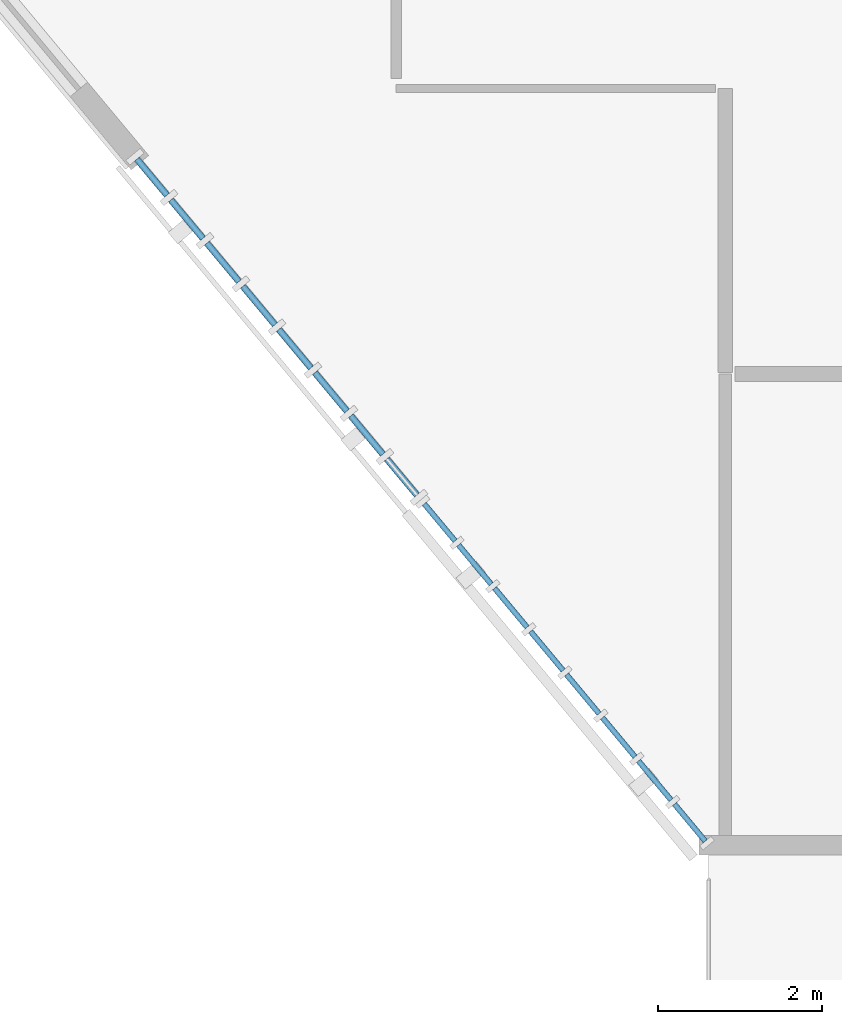
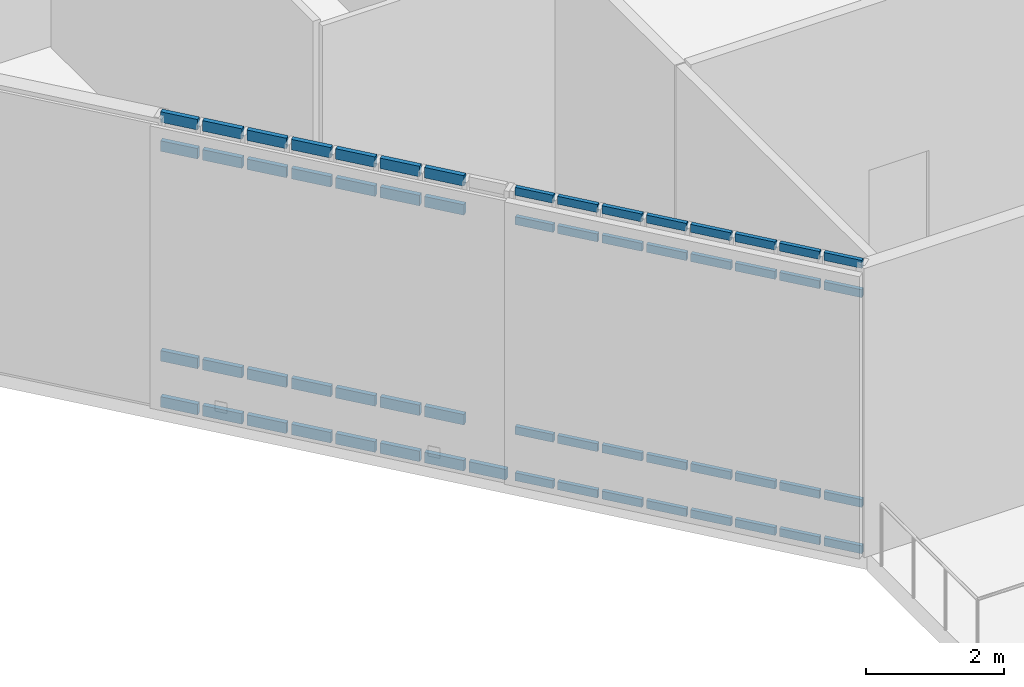
# One storey, part 43 of 135: 61 members, 2 elements without a shape of their own.
"""IFC4 building model written with IfcOpenShell, lengths in metres."""

from ifc_helpers import new_model, si_unit, direction, frame, origin, origin_2d, place, context, subcontext, project, spatial, rectangle, extrude, material, material_profile, profile_set, type_object, element, aggregate, save


model = new_model("IFC4")

# Units and contexts
model_context = context("Model", 3, precision=1e-05, world=origin(), true_north=direction((0.0, 1.0)))
body_context = subcontext(model_context, "Body", "Model", "MODEL_VIEW")
ifc_project = project(units=[si_unit("LENGTHUNIT", "METRE"), si_unit("AREAUNIT", "SQUARE_METRE"), si_unit("VOLUMEUNIT", "CUBIC_METRE"), si_unit("PLANEANGLEUNIT", "RADIAN"), si_unit("MASSUNIT", "GRAM", prefix="KILO")], contexts=[model_context])

# Site, building, storey
site_placement = place(None, origin())
site = spatial("IfcSite", under=ifc_project, at=site_placement, CompositionType="ELEMENT")
building_placement = place(site_placement, origin())
building = spatial("IfcBuilding", under=site, at=building_placement, Name="Larkvane Passage Sports Hall", CompositionType="ELEMENT")
storey_placement = place(building_placement, frame((0.0, 0.0, 16.800048828125)))
storey = spatial("IfcBuildingStorey", under=building, at=storey_placement, Name="L03", CompositionType="ELEMENT", Elevation=16.800048828125)

# Curtain wall, members
ifc_material_1 = material(Name="Thermally broken aluminium and low-E glazing", Category="aluminium")
curtain_wall_type_1 = type_object("IfcCurtainWallType", Name="CW-UNIT-COURT", PredefinedType="USERDEFINED", material=ifc_material_1)
curtain_wall_1_placement = place(storey_placement, origin())
curtain_wall_1 = element("IfcCurtainWall", 1, at=curtain_wall_1_placement, inside=storey, type_object=curtain_wall_type_1, Name="Curtain wall CW5-L03-128", ObjectType="UNITISED CURTAIN WALL", PredefinedType="USERDEFINED")
ifc_material_2 = material(Name="Anodised aluminium 6063-T6", Category="aluminium")
ifc_material_profile_1 = material_profile(ifc_material_2, rectangle(XDim=0.06494140625, YDim=0.139892578125, at=origin_2d()), Name="ALU-TRN-65x140")
ifc_profile_set_1 = profile_set([ifc_material_profile_1], Name="Anodised aluminium 6063-T6")
member_type_1 = type_object("IfcMemberType", Name="CW-TRN-65x140", PredefinedType="USERDEFINED", material=ifc_profile_set_1)
member_1_placement = place(storey_placement, frame((27.75830078125, 22.849853515625, 0.032470703125), z_axis=(-0.640020445424, 0.768357878491, 0.0), x_axis=(-0.768357878491, -0.640020445424, 0.0)))
member_1 = element("IfcMember", 2, at=member_1_placement, type_object=member_type_1, Name="CW-01 transom 1.1", ObjectType="TRANSOM", PredefinedType="USERDEFINED", context=body_context, shape_type="SweptSolid", body=[
    extrude(rectangle(XDim=0.06494140625, YDim=0.139892578125, at=origin_2d()), origin(), (0.0, 0.0, 1.0), 0.5859375),
])
member_2_placement = place(storey_placement, frame((27.75830078125, 22.849853515625, 0.849853515625), z_axis=(-0.640020445424, 0.768357878491, 0.0), x_axis=(-0.768357878491, -0.640020445424, 0.0)))
member_2 = element("IfcMember", 3, at=member_2_placement, type_object=member_type_1, Name="CW-01 transom 1.2", ObjectType="TRANSOM", PredefinedType="USERDEFINED", context=body_context, shape_type="SweptSolid", body=[
    extrude(rectangle(XDim=0.06494140625, YDim=0.139892578125, at=origin_2d()), origin(), (0.0, 0.0, 1.0), 0.5859375),
])
member_3_placement = place(storey_placement, frame((27.75830078125, 22.849853515625, 4.550048828125), z_axis=(-0.640020445424, 0.768357878491, 0.0), x_axis=(-0.768357878491, -0.640020445424, 0.0)))
member_3 = element("IfcMember", 4, at=member_3_placement, type_object=member_type_1, Name="CW-01 transom 1.3", ObjectType="TRANSOM", PredefinedType="USERDEFINED", context=body_context, shape_type="SweptSolid", body=[
    extrude(rectangle(XDim=0.06494140625, YDim=0.139892578125, at=origin_2d()), origin(), (0.0, 0.0, 1.0), 0.5859375),
])
member_4_placement = place(storey_placement, frame((27.75830078125, 22.849853515625, 5.0673828125), z_axis=(-0.640020445424, 0.768357878491, 0.0), x_axis=(-0.768357878491, -0.640020445424, 0.0)))
member_4 = element("IfcMember", 5, at=member_4_placement, type_object=member_type_1, Name="CW-01 transom 1.4", ObjectType="TRANSOM", PredefinedType="USERDEFINED", context=body_context, shape_type="SweptSolid", body=[
    extrude(rectangle(XDim=0.06494140625, YDim=0.139892578125, at=origin_2d()), origin(), (0.0, 0.0, 1.0), 0.5859375),
])
member_5_placement = place(storey_placement, frame((27.341796875, 23.349853515625, 0.032470703125), z_axis=(-0.640262049409, 0.768156564827, 0.0), x_axis=(-0.768156564827, -0.640262049409, 0.0)))
member_5 = element("IfcMember", 6, at=member_5_placement, type_object=member_type_1, Name="CW-01 transom 2.1", ObjectType="TRANSOM", PredefinedType="USERDEFINED", context=body_context, shape_type="SweptSolid", body=[
    extrude(rectangle(XDim=0.06494140625, YDim=0.139892578125, at=origin_2d()), origin(), (0.0, 0.0, 1.0), 0.618408203125),
])
member_6_placement = place(storey_placement, frame((27.341796875, 23.349853515625, 0.849853515625), z_axis=(-0.640262049409, 0.768156564827, 0.0), x_axis=(-0.768156564827, -0.640262049409, 0.0)))
member_6 = element("IfcMember", 7, at=member_6_placement, type_object=member_type_1, Name="CW-01 transom 2.2", ObjectType="TRANSOM", PredefinedType="USERDEFINED", context=body_context, shape_type="SweptSolid", body=[
    extrude(rectangle(XDim=0.06494140625, YDim=0.139892578125, at=origin_2d()), origin(), (0.0, 0.0, 1.0), 0.618408203125),
])
member_7_placement = place(storey_placement, frame((27.341796875, 23.349853515625, 4.550048828125), z_axis=(-0.640262049409, 0.768156564827, 0.0), x_axis=(-0.768156564827, -0.640262049409, 0.0)))
member_7 = element("IfcMember", 8, at=member_7_placement, type_object=member_type_1, Name="CW-01 transom 2.3", ObjectType="TRANSOM", PredefinedType="USERDEFINED", context=body_context, shape_type="SweptSolid", body=[
    extrude(rectangle(XDim=0.06494140625, YDim=0.139892578125, at=origin_2d()), origin(), (0.0, 0.0, 1.0), 0.618408203125),
])
member_8_placement = place(storey_placement, frame((27.341796875, 23.349853515625, 5.0673828125), z_axis=(-0.640262049409, 0.768156564827, 0.0), x_axis=(-0.768156564827, -0.640262049409, 0.0)))
member_8 = element("IfcMember", 9, at=member_8_placement, type_object=member_type_1, Name="CW-01 transom 2.4", ObjectType="TRANSOM", PredefinedType="USERDEFINED", context=body_context, shape_type="SweptSolid", body=[
    extrude(rectangle(XDim=0.06494140625, YDim=0.139892578125, at=origin_2d()), origin(), (0.0, 0.0, 1.0), 0.618408203125),
])
member_9_placement = place(storey_placement, frame((26.904296875, 23.875, 0.032470703125), z_axis=(-0.640262049409, 0.768156564827, 0.0), x_axis=(-0.768156564827, -0.640262049409, 0.0)))
member_9 = element("IfcMember", 10, at=member_9_placement, type_object=member_type_1, Name="CW-01 transom 3.1", ObjectType="TRANSOM", PredefinedType="USERDEFINED", context=body_context, shape_type="SweptSolid", body=[
    extrude(rectangle(XDim=0.06494140625, YDim=0.139892578125, at=origin_2d()), origin(), (0.0, 0.0, 1.0), 0.618408203125),
])
member_10_placement = place(storey_placement, frame((26.904296875, 23.875, 0.849853515625), z_axis=(-0.640262049409, 0.768156564827, 0.0), x_axis=(-0.768156564827, -0.640262049409, 0.0)))
member_10 = element("IfcMember", 11, at=member_10_placement, type_object=member_type_1, Name="CW-01 transom 3.2", ObjectType="TRANSOM", PredefinedType="USERDEFINED", context=body_context, shape_type="SweptSolid", body=[
    extrude(rectangle(XDim=0.06494140625, YDim=0.139892578125, at=origin_2d()), origin(), (0.0, 0.0, 1.0), 0.618408203125),
])
member_11_placement = place(storey_placement, frame((26.904296875, 23.875, 4.550048828125), z_axis=(-0.640262049409, 0.768156564827, 0.0), x_axis=(-0.768156564827, -0.640262049409, 0.0)))
member_11 = element("IfcMember", 12, at=member_11_placement, type_object=member_type_1, Name="CW-01 transom 3.3", ObjectType="TRANSOM", PredefinedType="USERDEFINED", context=body_context, shape_type="SweptSolid", body=[
    extrude(rectangle(XDim=0.06494140625, YDim=0.139892578125, at=origin_2d()), origin(), (0.0, 0.0, 1.0), 0.618408203125),
])
member_12_placement = place(storey_placement, frame((26.904296875, 23.875, 5.0673828125), z_axis=(-0.640262049409, 0.768156564827, 0.0), x_axis=(-0.768156564827, -0.640262049409, 0.0)))
member_12 = element("IfcMember", 13, at=member_12_placement, type_object=member_type_1, Name="CW-01 transom 3.4", ObjectType="TRANSOM", PredefinedType="USERDEFINED", context=body_context, shape_type="SweptSolid", body=[
    extrude(rectangle(XDim=0.06494140625, YDim=0.139892578125, at=origin_2d()), origin(), (0.0, 0.0, 1.0), 0.618408203125),
])
member_13_placement = place(storey_placement, frame((26.466796875, 24.39990234375, 0.032470703125), z_axis=(-0.640262049409, 0.768156564827, 0.0), x_axis=(-0.768156564827, -0.640262049409, 0.0)))
member_13 = element("IfcMember", 14, at=member_13_placement, type_object=member_type_1, Name="CW-01 transom 4.1", ObjectType="TRANSOM", PredefinedType="USERDEFINED", context=body_context, shape_type="SweptSolid", body=[
    extrude(rectangle(XDim=0.06494140625, YDim=0.139892578125, at=origin_2d()), origin(), (0.0, 0.0, 1.0), 0.618408203125),
])
member_14_placement = place(storey_placement, frame((26.466796875, 24.39990234375, 0.849853515625), z_axis=(-0.640262049409, 0.768156564827, 0.0), x_axis=(-0.768156564827, -0.640262049409, 0.0)))
member_14 = element("IfcMember", 15, at=member_14_placement, type_object=member_type_1, Name="CW-01 transom 4.2", ObjectType="TRANSOM", PredefinedType="USERDEFINED", context=body_context, shape_type="SweptSolid", body=[
    extrude(rectangle(XDim=0.06494140625, YDim=0.139892578125, at=origin_2d()), origin(), (0.0, 0.0, 1.0), 0.618408203125),
])
member_15_placement = place(storey_placement, frame((26.466796875, 24.39990234375, 4.550048828125), z_axis=(-0.640262049409, 0.768156564827, 0.0), x_axis=(-0.768156564827, -0.640262049409, 0.0)))
member_15 = element("IfcMember", 16, at=member_15_placement, type_object=member_type_1, Name="CW-01 transom 4.3", ObjectType="TRANSOM", PredefinedType="USERDEFINED", context=body_context, shape_type="SweptSolid", body=[
    extrude(rectangle(XDim=0.06494140625, YDim=0.139892578125, at=origin_2d()), origin(), (0.0, 0.0, 1.0), 0.618408203125),
])
member_16_placement = place(storey_placement, frame((26.466796875, 24.39990234375, 5.0673828125), z_axis=(-0.640262049409, 0.768156564827, 0.0), x_axis=(-0.768156564827, -0.640262049409, 0.0)))
member_16 = element("IfcMember", 17, at=member_16_placement, type_object=member_type_1, Name="CW-01 transom 4.4", ObjectType="TRANSOM", PredefinedType="USERDEFINED", context=body_context, shape_type="SweptSolid", body=[
    extrude(rectangle(XDim=0.06494140625, YDim=0.139892578125, at=origin_2d()), origin(), (0.0, 0.0, 1.0), 0.618408203125),
])
member_17_placement = place(storey_placement, frame((26.029296875, 24.925048828125, 0.032470703125), z_axis=(-0.640262049409, 0.768156564827, 0.0), x_axis=(-0.768156564827, -0.640262049409, 0.0)))
member_17 = element("IfcMember", 18, at=member_17_placement, type_object=member_type_1, Name="CW-01 transom 5.1", ObjectType="TRANSOM", PredefinedType="USERDEFINED", context=body_context, shape_type="SweptSolid", body=[
    extrude(rectangle(XDim=0.06494140625, YDim=0.139892578125, at=origin_2d()), origin(), (0.0, 0.0, 1.0), 0.618408203125),
])
member_18_placement = place(storey_placement, frame((26.029296875, 24.925048828125, 0.849853515625), z_axis=(-0.640262049409, 0.768156564827, 0.0), x_axis=(-0.768156564827, -0.640262049409, 0.0)))
member_18 = element("IfcMember", 19, at=member_18_placement, type_object=member_type_1, Name="CW-01 transom 5.2", ObjectType="TRANSOM", PredefinedType="USERDEFINED", context=body_context, shape_type="SweptSolid", body=[
    extrude(rectangle(XDim=0.06494140625, YDim=0.139892578125, at=origin_2d()), origin(), (0.0, 0.0, 1.0), 0.618408203125),
])
member_19_placement = place(storey_placement, frame((26.029296875, 24.925048828125, 4.550048828125), z_axis=(-0.640262049409, 0.768156564827, 0.0), x_axis=(-0.768156564827, -0.640262049409, 0.0)))
member_19 = element("IfcMember", 20, at=member_19_placement, type_object=member_type_1, Name="CW-01 transom 5.3", ObjectType="TRANSOM", PredefinedType="USERDEFINED", context=body_context, shape_type="SweptSolid", body=[
    extrude(rectangle(XDim=0.06494140625, YDim=0.139892578125, at=origin_2d()), origin(), (0.0, 0.0, 1.0), 0.618408203125),
])
member_20_placement = place(storey_placement, frame((26.029296875, 24.925048828125, 5.0673828125), z_axis=(-0.640262049409, 0.768156564827, 0.0), x_axis=(-0.768156564827, -0.640262049409, 0.0)))
member_20 = element("IfcMember", 21, at=member_20_placement, type_object=member_type_1, Name="CW-01 transom 5.4", ObjectType="TRANSOM", PredefinedType="USERDEFINED", context=body_context, shape_type="SweptSolid", body=[
    extrude(rectangle(XDim=0.06494140625, YDim=0.139892578125, at=origin_2d()), origin(), (0.0, 0.0, 1.0), 0.618408203125),
])
member_21_placement = place(storey_placement, frame((25.591796875, 25.449951171875, 0.032470703125), z_axis=(-0.640262049409, 0.768156564827, 0.0), x_axis=(-0.768156564827, -0.640262049409, 0.0)))
member_21 = element("IfcMember", 22, at=member_21_placement, type_object=member_type_1, Name="CW-01 transom 6.1", ObjectType="TRANSOM", PredefinedType="USERDEFINED", context=body_context, shape_type="SweptSolid", body=[
    extrude(rectangle(XDim=0.06494140625, YDim=0.139892578125, at=origin_2d()), origin(), (0.0, 0.0, 1.0), 0.618408203125),
])
member_22_placement = place(storey_placement, frame((25.591796875, 25.449951171875, 0.849853515625), z_axis=(-0.640262049409, 0.768156564827, 0.0), x_axis=(-0.768156564827, -0.640262049409, 0.0)))
member_22 = element("IfcMember", 23, at=member_22_placement, type_object=member_type_1, Name="CW-01 transom 6.2", ObjectType="TRANSOM", PredefinedType="USERDEFINED", context=body_context, shape_type="SweptSolid", body=[
    extrude(rectangle(XDim=0.06494140625, YDim=0.139892578125, at=origin_2d()), origin(), (0.0, 0.0, 1.0), 0.618408203125),
])
member_23_placement = place(storey_placement, frame((25.591796875, 25.449951171875, 4.550048828125), z_axis=(-0.640262049409, 0.768156564827, 0.0), x_axis=(-0.768156564827, -0.640262049409, 0.0)))
member_23 = element("IfcMember", 24, at=member_23_placement, type_object=member_type_1, Name="CW-01 transom 6.3", ObjectType="TRANSOM", PredefinedType="USERDEFINED", context=body_context, shape_type="SweptSolid", body=[
    extrude(rectangle(XDim=0.06494140625, YDim=0.139892578125, at=origin_2d()), origin(), (0.0, 0.0, 1.0), 0.618408203125),
])
member_24_placement = place(storey_placement, frame((25.591796875, 25.449951171875, 5.0673828125), z_axis=(-0.640262049409, 0.768156564827, 0.0), x_axis=(-0.768156564827, -0.640262049409, 0.0)))
member_24 = element("IfcMember", 25, at=member_24_placement, type_object=member_type_1, Name="CW-01 transom 6.4", ObjectType="TRANSOM", PredefinedType="USERDEFINED", context=body_context, shape_type="SweptSolid", body=[
    extrude(rectangle(XDim=0.06494140625, YDim=0.139892578125, at=origin_2d()), origin(), (0.0, 0.0, 1.0), 0.618408203125),
])
member_25_placement = place(storey_placement, frame((25.154296875, 25.974853515625, 0.032470703125), z_axis=(-0.640262049409, 0.768156564827, 0.0), x_axis=(-0.768156564827, -0.640262049409, 0.0)))
member_25 = element("IfcMember", 26, at=member_25_placement, type_object=member_type_1, Name="CW-01 transom 7.1", ObjectType="TRANSOM", PredefinedType="USERDEFINED", context=body_context, shape_type="SweptSolid", body=[
    extrude(rectangle(XDim=0.06494140625, YDim=0.139892578125, at=origin_2d()), origin(), (0.0, 0.0, 1.0), 0.618408203125),
])
member_26_placement = place(storey_placement, frame((25.154296875, 25.974853515625, 0.849853515625), z_axis=(-0.640262049409, 0.768156564827, 0.0), x_axis=(-0.768156564827, -0.640262049409, 0.0)))
member_26 = element("IfcMember", 27, at=member_26_placement, type_object=member_type_1, Name="CW-01 transom 7.2", ObjectType="TRANSOM", PredefinedType="USERDEFINED", context=body_context, shape_type="SweptSolid", body=[
    extrude(rectangle(XDim=0.06494140625, YDim=0.139892578125, at=origin_2d()), origin(), (0.0, 0.0, 1.0), 0.618408203125),
])
member_27_placement = place(storey_placement, frame((25.154296875, 25.974853515625, 4.550048828125), z_axis=(-0.640262049409, 0.768156564827, 0.0), x_axis=(-0.768156564827, -0.640262049409, 0.0)))
member_27 = element("IfcMember", 28, at=member_27_placement, type_object=member_type_1, Name="CW-01 transom 7.3", ObjectType="TRANSOM", PredefinedType="USERDEFINED", context=body_context, shape_type="SweptSolid", body=[
    extrude(rectangle(XDim=0.06494140625, YDim=0.139892578125, at=origin_2d()), origin(), (0.0, 0.0, 1.0), 0.618408203125),
])
member_28_placement = place(storey_placement, frame((25.154296875, 25.974853515625, 5.0673828125), z_axis=(-0.640262049409, 0.768156564827, 0.0), x_axis=(-0.768156564827, -0.640262049409, 0.0)))
member_28 = element("IfcMember", 29, at=member_28_placement, type_object=member_type_1, Name="CW-01 transom 7.4", ObjectType="TRANSOM", PredefinedType="USERDEFINED", context=body_context, shape_type="SweptSolid", body=[
    extrude(rectangle(XDim=0.06494140625, YDim=0.139892578125, at=origin_2d()), origin(), (0.0, 0.0, 1.0), 0.618408203125),
])
member_29_placement = place(storey_placement, frame((24.716796875, 26.5, 0.032470703125), z_axis=(-0.640471264721, 0.767982134601, 0.0), x_axis=(-0.767982134601, -0.640471264721, 0.0)))
member_29 = element("IfcMember", 30, at=member_29_placement, type_object=member_type_1, Name="CW-01 transom 8.1", ObjectType="TRANSOM", PredefinedType="USERDEFINED", context=body_context, shape_type="SweptSolid", body=[
    extrude(rectangle(XDim=0.06494140625, YDim=0.139892578125, at=origin_2d()), origin(), (0.0, 0.0, 1.0), 0.5859375),
])
member_30_placement = place(storey_placement, frame((24.716796875, 26.5, 0.849853515625), z_axis=(-0.640471264721, 0.767982134601, 0.0), x_axis=(-0.767982134601, -0.640471264721, 0.0)))
member_30 = element("IfcMember", 31, at=member_30_placement, type_object=member_type_1, Name="CW-01 transom 8.2", ObjectType="TRANSOM", PredefinedType="USERDEFINED", context=body_context, shape_type="SweptSolid", body=[
    extrude(rectangle(XDim=0.06494140625, YDim=0.139892578125, at=origin_2d()), origin(), (0.0, 0.0, 1.0), 0.5859375),
])
member_31_placement = place(storey_placement, frame((24.716796875, 26.5, 4.550048828125), z_axis=(-0.640471264721, 0.767982134601, 0.0), x_axis=(-0.767982134601, -0.640471264721, 0.0)))
member_31 = element("IfcMember", 32, at=member_31_placement, type_object=member_type_1, Name="CW-01 transom 8.3", ObjectType="TRANSOM", PredefinedType="USERDEFINED", context=body_context, shape_type="SweptSolid", body=[
    extrude(rectangle(XDim=0.06494140625, YDim=0.139892578125, at=origin_2d()), origin(), (0.0, 0.0, 1.0), 0.5859375),
])
member_32_placement = place(storey_placement, frame((24.716796875, 26.5, 5.0673828125), z_axis=(-0.640471264721, 0.767982134601, 0.0), x_axis=(-0.767982134601, -0.640471264721, 0.0)))
member_32 = element("IfcMember", 33, at=member_32_placement, type_object=member_type_1, Name="CW-01 transom 8.4", ObjectType="TRANSOM", PredefinedType="USERDEFINED", context=body_context, shape_type="SweptSolid", body=[
    extrude(rectangle(XDim=0.06494140625, YDim=0.139892578125, at=origin_2d()), origin(), (0.0, 0.0, 1.0), 0.5859375),
])
aggregate(curtain_wall_1, [member_1, member_2, member_3, member_4, member_5, member_6, member_7, member_8, member_9, member_10, member_11, member_12, member_13, member_14, member_15, member_16, member_17, member_18, member_19, member_20, member_21, member_22, member_23, member_24, member_25, member_26, member_27, member_28, member_29, member_30, member_31, member_32])

curtain_wall_type_2 = type_object("IfcCurtainWallType", Name="CW-UNIT-VEIL", PredefinedType="USERDEFINED", material=ifc_material_1)
curtain_wall_2_placement = place(storey_placement, origin())
curtain_wall_2 = element("IfcCurtainWall", 34, at=curtain_wall_2_placement, inside=storey, type_object=curtain_wall_type_2, Name="Curtain wall CW5-L03-129", ObjectType="UNITISED CURTAIN WALL", PredefinedType="USERDEFINED")
ifc_material_profile_2 = material_profile(ifc_material_2, rectangle(XDim=0.074951171875, YDim=0.18505859375, at=origin_2d()), Name="ALU-TRN-75x185")
ifc_profile_set_2 = profile_set([ifc_material_profile_2], Name="Anodised aluminium 6063-T6")
member_type_2 = type_object("IfcMemberType", Name="CW-TRN-75x185", PredefinedType="USERDEFINED", material=ifc_profile_set_2)
member_33_placement = place(storey_placement, frame((24.251953125, 27.0576171875, 0.037353515625), z_axis=(-0.640268533744, 0.768151160057, 0.0), x_axis=(-0.768151160057, -0.640268533744, 0.0)))
member_33 = element("IfcMember", 35, at=member_33_placement, type_object=member_type_2, Name="CW-02 transom 1.1", ObjectType="TRANSOM", PredefinedType="USERDEFINED", context=body_context, shape_type="SweptSolid", body=[
    extrude(rectangle(XDim=0.074951171875, YDim=0.18505859375, at=origin_2d()), origin(), (0.0, 0.0, 1.0), 0.57080078125),
])
member_34_placement = place(storey_placement, frame((23.83837890625, 27.5537109375, 0.037353515625), z_axis=(-0.639987044546, 0.768385699251, 0.0), x_axis=(-0.768385699251, -0.639987044546, 0.0)))
member_34 = element("IfcMember", 36, at=member_34_placement, type_object=member_type_2, Name="CW-02 transom 2.1", ObjectType="TRANSOM", PredefinedType="USERDEFINED", context=body_context, shape_type="SweptSolid", body=[
    extrude(rectangle(XDim=0.074951171875, YDim=0.18505859375, at=origin_2d()), origin(), (0.0, 0.0, 1.0), 0.6083984375),
])
member_35_placement = place(storey_placement, frame((23.83837890625, 27.5537109375, 0.849853515625), z_axis=(-0.639987044546, 0.768385699251, 0.0), x_axis=(-0.768385699251, -0.639987044546, 0.0)))
member_35 = element("IfcMember", 37, at=member_35_placement, type_object=member_type_2, Name="CW-02 transom 2.2", ObjectType="TRANSOM", PredefinedType="USERDEFINED", context=body_context, shape_type="SweptSolid", body=[
    extrude(rectangle(XDim=0.074951171875, YDim=0.18505859375, at=origin_2d()), origin(), (0.0, 0.0, 1.0), 0.6083984375),
])
member_36_placement = place(storey_placement, frame((23.83837890625, 27.5537109375, 4.550048828125), z_axis=(-0.639987044546, 0.768385699251, 0.0), x_axis=(-0.768385699251, -0.639987044546, 0.0)))
member_36 = element("IfcMember", 38, at=member_36_placement, type_object=member_type_2, Name="CW-02 transom 2.3", ObjectType="TRANSOM", PredefinedType="USERDEFINED", context=body_context, shape_type="SweptSolid", body=[
    extrude(rectangle(XDim=0.074951171875, YDim=0.18505859375, at=origin_2d()), origin(), (0.0, 0.0, 1.0), 0.6083984375),
])
member_37_placement = place(storey_placement, frame((23.83837890625, 27.5537109375, 5.0625), z_axis=(-0.639987044546, 0.768385699251, 0.0), x_axis=(-0.768385699251, -0.639987044546, 0.0)))
member_37 = element("IfcMember", 39, at=member_37_placement, type_object=member_type_2, Name="CW-02 transom 2.4", ObjectType="TRANSOM", PredefinedType="USERDEFINED", context=body_context, shape_type="SweptSolid", body=[
    extrude(rectangle(XDim=0.074951171875, YDim=0.18505859375, at=origin_2d()), origin(), (0.0, 0.0, 1.0), 0.6083984375),
])
member_38_placement = place(storey_placement, frame((23.40087890625, 28.078857421875, 0.037353515625), z_axis=(-0.640184399664, 0.768221279597, 0.0), x_axis=(-0.768221279597, -0.640184399664, 0.0)))
member_38 = element("IfcMember", 40, at=member_38_placement, type_object=member_type_2, Name="CW-02 transom 3.1", ObjectType="TRANSOM", PredefinedType="USERDEFINED", context=body_context, shape_type="SweptSolid", body=[
    extrude(rectangle(XDim=0.074951171875, YDim=0.18505859375, at=origin_2d()), origin(), (0.0, 0.0, 1.0), 0.608154296875),
])
member_39_placement = place(storey_placement, frame((23.40087890625, 28.078857421875, 0.849853515625), z_axis=(-0.640184399664, 0.768221279597, 0.0), x_axis=(-0.768221279597, -0.640184399664, 0.0)))
member_39 = element("IfcMember", 41, at=member_39_placement, type_object=member_type_2, Name="CW-02 transom 3.2", ObjectType="TRANSOM", PredefinedType="USERDEFINED", context=body_context, shape_type="SweptSolid", body=[
    extrude(rectangle(XDim=0.074951171875, YDim=0.18505859375, at=origin_2d()), origin(), (0.0, 0.0, 1.0), 0.608154296875),
])
member_40_placement = place(storey_placement, frame((23.40087890625, 28.078857421875, 4.550048828125), z_axis=(-0.640184399664, 0.768221279597, 0.0), x_axis=(-0.768221279597, -0.640184399664, 0.0)))
member_40 = element("IfcMember", 42, at=member_40_placement, type_object=member_type_2, Name="CW-02 transom 3.3", ObjectType="TRANSOM", PredefinedType="USERDEFINED", context=body_context, shape_type="SweptSolid", body=[
    extrude(rectangle(XDim=0.074951171875, YDim=0.18505859375, at=origin_2d()), origin(), (0.0, 0.0, 1.0), 0.608154296875),
])
member_41_placement = place(storey_placement, frame((23.40087890625, 28.078857421875, 5.0625), z_axis=(-0.640184399664, 0.768221279597, 0.0), x_axis=(-0.768221279597, -0.640184399664, 0.0)))
member_41 = element("IfcMember", 43, at=member_41_placement, type_object=member_type_2, Name="CW-02 transom 3.4", ObjectType="TRANSOM", PredefinedType="USERDEFINED", context=body_context, shape_type="SweptSolid", body=[
    extrude(rectangle(XDim=0.074951171875, YDim=0.18505859375, at=origin_2d()), origin(), (0.0, 0.0, 1.0), 0.608154296875),
])
member_42_placement = place(storey_placement, frame((22.96337890625, 28.603759765625, 0.037353515625), z_axis=(-0.639987044546, 0.768385699251, 0.0), x_axis=(-0.768385699251, -0.639987044546, 0.0)))
member_42 = element("IfcMember", 44, at=member_42_placement, type_object=member_type_2, Name="CW-02 transom 4.1", ObjectType="TRANSOM", PredefinedType="USERDEFINED", context=body_context, shape_type="SweptSolid", body=[
    extrude(rectangle(XDim=0.074951171875, YDim=0.18505859375, at=origin_2d()), origin(), (0.0, 0.0, 1.0), 0.6083984375),
])
member_43_placement = place(storey_placement, frame((22.96337890625, 28.603759765625, 0.849853515625), z_axis=(-0.639987044546, 0.768385699251, 0.0), x_axis=(-0.768385699251, -0.639987044546, 0.0)))
member_43 = element("IfcMember", 45, at=member_43_placement, type_object=member_type_2, Name="CW-02 transom 4.2", ObjectType="TRANSOM", PredefinedType="USERDEFINED", context=body_context, shape_type="SweptSolid", body=[
    extrude(rectangle(XDim=0.074951171875, YDim=0.18505859375, at=origin_2d()), origin(), (0.0, 0.0, 1.0), 0.6083984375),
])
member_44_placement = place(storey_placement, frame((22.96337890625, 28.603759765625, 4.550048828125), z_axis=(-0.639987044546, 0.768385699251, 0.0), x_axis=(-0.768385699251, -0.639987044546, 0.0)))
member_44 = element("IfcMember", 46, at=member_44_placement, type_object=member_type_2, Name="CW-02 transom 4.3", ObjectType="TRANSOM", PredefinedType="USERDEFINED", context=body_context, shape_type="SweptSolid", body=[
    extrude(rectangle(XDim=0.074951171875, YDim=0.18505859375, at=origin_2d()), origin(), (0.0, 0.0, 1.0), 0.6083984375),
])
member_45_placement = place(storey_placement, frame((22.96337890625, 28.603759765625, 5.0625), z_axis=(-0.639987044546, 0.768385699251, 0.0), x_axis=(-0.768385699251, -0.639987044546, 0.0)))
member_45 = element("IfcMember", 47, at=member_45_placement, type_object=member_type_2, Name="CW-02 transom 4.4", ObjectType="TRANSOM", PredefinedType="USERDEFINED", context=body_context, shape_type="SweptSolid", body=[
    extrude(rectangle(XDim=0.074951171875, YDim=0.18505859375, at=origin_2d()), origin(), (0.0, 0.0, 1.0), 0.6083984375),
])
member_46_placement = place(storey_placement, frame((22.52587890625, 29.12890625, 0.037353515625), z_axis=(-0.640184399664, 0.768221279597, 0.0), x_axis=(-0.768221279597, -0.640184399664, 0.0)))
member_46 = element("IfcMember", 48, at=member_46_placement, type_object=member_type_2, Name="CW-02 transom 5.1", ObjectType="TRANSOM", PredefinedType="USERDEFINED", context=body_context, shape_type="SweptSolid", body=[
    extrude(rectangle(XDim=0.074951171875, YDim=0.18505859375, at=origin_2d()), origin(), (0.0, 0.0, 1.0), 0.608154296875),
])
member_47_placement = place(storey_placement, frame((22.52587890625, 29.12890625, 0.849853515625), z_axis=(-0.640184399664, 0.768221279597, 0.0), x_axis=(-0.768221279597, -0.640184399664, 0.0)))
member_47 = element("IfcMember", 49, at=member_47_placement, type_object=member_type_2, Name="CW-02 transom 5.2", ObjectType="TRANSOM", PredefinedType="USERDEFINED", context=body_context, shape_type="SweptSolid", body=[
    extrude(rectangle(XDim=0.074951171875, YDim=0.18505859375, at=origin_2d()), origin(), (0.0, 0.0, 1.0), 0.608154296875),
])
member_48_placement = place(storey_placement, frame((22.52587890625, 29.12890625, 4.550048828125), z_axis=(-0.640184399664, 0.768221279597, 0.0), x_axis=(-0.768221279597, -0.640184399664, 0.0)))
member_48 = element("IfcMember", 50, at=member_48_placement, type_object=member_type_2, Name="CW-02 transom 5.3", ObjectType="TRANSOM", PredefinedType="USERDEFINED", context=body_context, shape_type="SweptSolid", body=[
    extrude(rectangle(XDim=0.074951171875, YDim=0.18505859375, at=origin_2d()), origin(), (0.0, 0.0, 1.0), 0.608154296875),
])
member_49_placement = place(storey_placement, frame((22.52587890625, 29.12890625, 5.0625), z_axis=(-0.640184399664, 0.768221279597, 0.0), x_axis=(-0.768221279597, -0.640184399664, 0.0)))
member_49 = element("IfcMember", 51, at=member_49_placement, type_object=member_type_2, Name="CW-02 transom 5.4", ObjectType="TRANSOM", PredefinedType="USERDEFINED", context=body_context, shape_type="SweptSolid", body=[
    extrude(rectangle(XDim=0.074951171875, YDim=0.18505859375, at=origin_2d()), origin(), (0.0, 0.0, 1.0), 0.608154296875),
])
member_50_placement = place(storey_placement, frame((22.08837890625, 29.65380859375, 0.037353515625), z_axis=(-0.640184399664, 0.768221279597, 0.0), x_axis=(-0.768221279597, -0.640184399664, 0.0)))
member_50 = element("IfcMember", 52, at=member_50_placement, type_object=member_type_2, Name="CW-02 transom 6.1", ObjectType="TRANSOM", PredefinedType="USERDEFINED", context=body_context, shape_type="SweptSolid", body=[
    extrude(rectangle(XDim=0.074951171875, YDim=0.18505859375, at=origin_2d()), origin(), (0.0, 0.0, 1.0), 0.608154296875),
])
member_51_placement = place(storey_placement, frame((22.08837890625, 29.65380859375, 0.849853515625), z_axis=(-0.640184399664, 0.768221279597, 0.0), x_axis=(-0.768221279597, -0.640184399664, 0.0)))
member_51 = element("IfcMember", 53, at=member_51_placement, type_object=member_type_2, Name="CW-02 transom 6.2", ObjectType="TRANSOM", PredefinedType="USERDEFINED", context=body_context, shape_type="SweptSolid", body=[
    extrude(rectangle(XDim=0.074951171875, YDim=0.18505859375, at=origin_2d()), origin(), (0.0, 0.0, 1.0), 0.608154296875),
])
member_52_placement = place(storey_placement, frame((22.08837890625, 29.65380859375, 4.550048828125), z_axis=(-0.640184399664, 0.768221279597, 0.0), x_axis=(-0.768221279597, -0.640184399664, 0.0)))
member_52 = element("IfcMember", 54, at=member_52_placement, type_object=member_type_2, Name="CW-02 transom 6.3", ObjectType="TRANSOM", PredefinedType="USERDEFINED", context=body_context, shape_type="SweptSolid", body=[
    extrude(rectangle(XDim=0.074951171875, YDim=0.18505859375, at=origin_2d()), origin(), (0.0, 0.0, 1.0), 0.608154296875),
])
member_53_placement = place(storey_placement, frame((22.08837890625, 29.65380859375, 5.0625), z_axis=(-0.640184399664, 0.768221279597, 0.0), x_axis=(-0.768221279597, -0.640184399664, 0.0)))
member_53 = element("IfcMember", 55, at=member_53_placement, type_object=member_type_2, Name="CW-02 transom 6.4", ObjectType="TRANSOM", PredefinedType="USERDEFINED", context=body_context, shape_type="SweptSolid", body=[
    extrude(rectangle(XDim=0.074951171875, YDim=0.18505859375, at=origin_2d()), origin(), (0.0, 0.0, 1.0), 0.608154296875),
])
member_54_placement = place(storey_placement, frame((21.65087890625, 30.1787109375, 0.037353515625), z_axis=(-0.639987044546, 0.768385699251, 0.0), x_axis=(-0.768385699251, -0.639987044546, 0.0)))
member_54 = element("IfcMember", 56, at=member_54_placement, type_object=member_type_2, Name="CW-02 transom 7.1", ObjectType="TRANSOM", PredefinedType="USERDEFINED", context=body_context, shape_type="SweptSolid", body=[
    extrude(rectangle(XDim=0.074951171875, YDim=0.18505859375, at=origin_2d()), origin(), (0.0, 0.0, 1.0), 0.6083984375),
])
member_55_placement = place(storey_placement, frame((21.65087890625, 30.1787109375, 0.849853515625), z_axis=(-0.639987044546, 0.768385699251, 0.0), x_axis=(-0.768385699251, -0.639987044546, 0.0)))
member_55 = element("IfcMember", 57, at=member_55_placement, type_object=member_type_2, Name="CW-02 transom 7.2", ObjectType="TRANSOM", PredefinedType="USERDEFINED", context=body_context, shape_type="SweptSolid", body=[
    extrude(rectangle(XDim=0.074951171875, YDim=0.18505859375, at=origin_2d()), origin(), (0.0, 0.0, 1.0), 0.6083984375),
])
member_56_placement = place(storey_placement, frame((21.65087890625, 30.1787109375, 4.550048828125), z_axis=(-0.639987044546, 0.768385699251, 0.0), x_axis=(-0.768385699251, -0.639987044546, 0.0)))
member_56 = element("IfcMember", 58, at=member_56_placement, type_object=member_type_2, Name="CW-02 transom 7.3", ObjectType="TRANSOM", PredefinedType="USERDEFINED", context=body_context, shape_type="SweptSolid", body=[
    extrude(rectangle(XDim=0.074951171875, YDim=0.18505859375, at=origin_2d()), origin(), (0.0, 0.0, 1.0), 0.6083984375),
])
member_57_placement = place(storey_placement, frame((21.65087890625, 30.1787109375, 5.0625), z_axis=(-0.639987044546, 0.768385699251, 0.0), x_axis=(-0.768385699251, -0.639987044546, 0.0)))
member_57 = element("IfcMember", 59, at=member_57_placement, type_object=member_type_2, Name="CW-02 transom 7.4", ObjectType="TRANSOM", PredefinedType="USERDEFINED", context=body_context, shape_type="SweptSolid", body=[
    extrude(rectangle(XDim=0.074951171875, YDim=0.18505859375, at=origin_2d()), origin(), (0.0, 0.0, 1.0), 0.6083984375),
])
member_58_placement = place(storey_placement, frame((21.21337890625, 30.703857421875, 0.037353515625), z_axis=(-0.640268533744, 0.768151160057, 0.0), x_axis=(-0.768151160057, -0.640268533744, 0.0)))
member_58 = element("IfcMember", 60, at=member_58_placement, type_object=member_type_2, Name="CW-02 transom 8.1", ObjectType="TRANSOM", PredefinedType="USERDEFINED", context=body_context, shape_type="SweptSolid", body=[
    extrude(rectangle(XDim=0.074951171875, YDim=0.18505859375, at=origin_2d()), origin(), (0.0, 0.0, 1.0), 0.57080078125),
])
member_59_placement = place(storey_placement, frame((21.21337890625, 30.703857421875, 0.849853515625), z_axis=(-0.640268533744, 0.768151160057, 0.0), x_axis=(-0.768151160057, -0.640268533744, 0.0)))
member_59 = element("IfcMember", 61, at=member_59_placement, type_object=member_type_2, Name="CW-02 transom 8.2", ObjectType="TRANSOM", PredefinedType="USERDEFINED", context=body_context, shape_type="SweptSolid", body=[
    extrude(rectangle(XDim=0.074951171875, YDim=0.18505859375, at=origin_2d()), origin(), (0.0, 0.0, 1.0), 0.57080078125),
])
member_60_placement = place(storey_placement, frame((21.21337890625, 30.703857421875, 4.550048828125), z_axis=(-0.640268533744, 0.768151160057, 0.0), x_axis=(-0.768151160057, -0.640268533744, 0.0)))
member_60 = element("IfcMember", 62, at=member_60_placement, type_object=member_type_2, Name="CW-02 transom 8.3", ObjectType="TRANSOM", PredefinedType="USERDEFINED", context=body_context, shape_type="SweptSolid", body=[
    extrude(rectangle(XDim=0.074951171875, YDim=0.18505859375, at=origin_2d()), origin(), (0.0, 0.0, 1.0), 0.57080078125),
])
member_61_placement = place(storey_placement, frame((21.21337890625, 30.703857421875, 5.0625), z_axis=(-0.640268533744, 0.768151160057, 0.0), x_axis=(-0.768151160057, -0.640268533744, 0.0)))
member_61 = element("IfcMember", 63, at=member_61_placement, type_object=member_type_2, Name="CW-02 transom 8.4", ObjectType="TRANSOM", PredefinedType="USERDEFINED", context=body_context, shape_type="SweptSolid", body=[
    extrude(rectangle(XDim=0.074951171875, YDim=0.18505859375, at=origin_2d()), origin(), (0.0, 0.0, 1.0), 0.57080078125),
])
aggregate(curtain_wall_2, [member_33, member_34, member_35, member_36, member_37, member_38, member_39, member_40, member_41, member_42, member_43, member_44, member_45, member_46, member_47, member_48, member_49, member_50, member_51, member_52, member_53, member_54, member_55, member_56, member_57, member_58, member_59, member_60, member_61])

save(model, "model.ifc")
